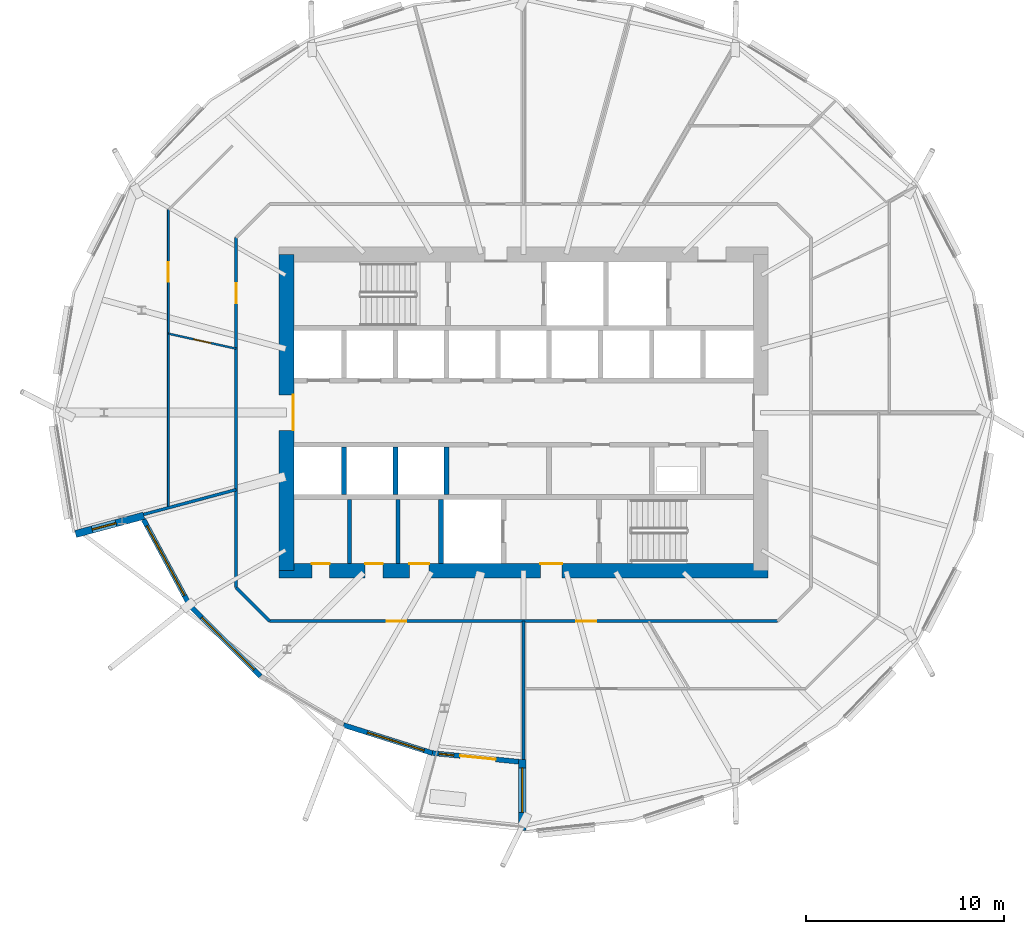
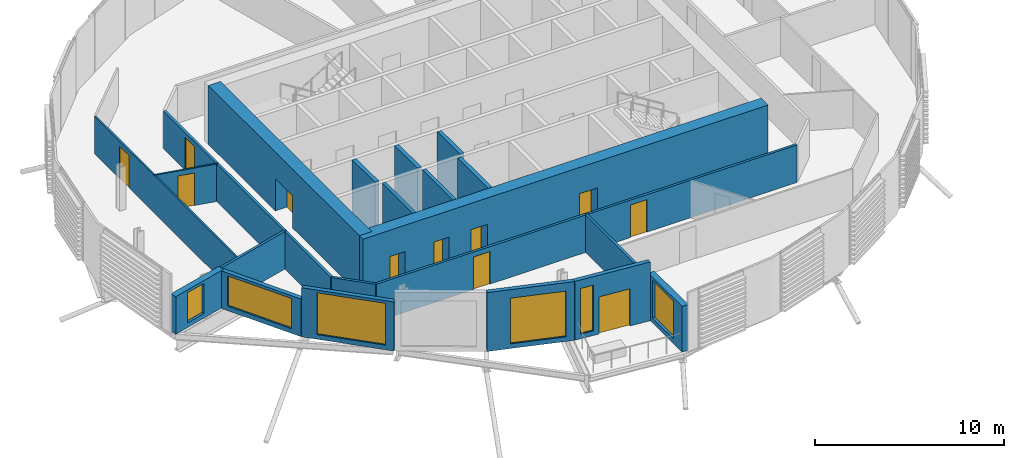
# One storey, part 22 of 43: 21 walls, 11 doors, 6 windows, 17 openings.
"""IFC4 building model written with IfcOpenShell, lengths in metres."""

from ifc_helpers import new_model, si_unit, direction, frame, frame_2d, origin, place, context, subcontext, project, spatial, rectangle, extrude, material, layer, layer_set, type_object, element, fill, save


model = new_model("IFC4")

# Units and contexts
model_context = context("Model", 3, precision=1e-05, world=origin(), true_north=direction((0.0, 1.0)))
body_context = subcontext(model_context, "Body", "Model", "MODEL_VIEW")
ifc_project = project(units=[si_unit("LENGTHUNIT", "METRE"), si_unit("AREAUNIT", "SQUARE_METRE"), si_unit("VOLUMEUNIT", "CUBIC_METRE"), si_unit("PLANEANGLEUNIT", "RADIAN"), si_unit("MASSUNIT", "GRAM", prefix="KILO")], contexts=[model_context])

# Site, building, storey
site_placement = place(None, origin())
site = spatial("IfcSite", under=ifc_project, at=site_placement, CompositionType="ELEMENT")
building_placement = place(site_placement, origin())
building = spatial("IfcBuilding", under=site, at=building_placement, Name="Rimbun Link Towers", CompositionType="ELEMENT")
storey_placement = place(building_placement, frame((0.0, 0.0, 81.60009765625)))
storey = spatial("IfcBuildingStorey", under=building, at=storey_placement, Name="L19", CompositionType="ELEMENT", Elevation=81.60009765625)

# Wall, opening, window
ifc_material_1 = material(Name="Dark enamelled glass spandrel on insulated aluminium backpan", Category="aluminium")
ifc_layer_1 = layer(ifc_material_1, 0.25)
ifc_layer_set_1 = layer_set([ifc_layer_1], Name="CS dark enamelled spandrel wall 250")
wall_type_1 = type_object("IfcWallType", Name="CS dark enamelled spandrel wall 250", PredefinedType="STANDARD", material=ifc_layer_set_1)
wall_1_placement = place(storey_placement, frame((-48.640380859375, -9.7685546875, 0.0), z_axis=(0.0, 0.0, 1.0), x_axis=(-0.473204683216, 0.88095251165, 0.0)))
wall_1 = element("IfcWall", 1, at=wall_1_placement, inside=storey, type_object=wall_type_1, Name="Crease spandrel wall", PredefinedType="STANDARD", context=body_context, shape_type="SweptSolid", body=[
    extrude(rectangle(XDim=4.94580078125, YDim=0.25, at=frame_2d((2.472900390625, 0.0))), origin(), (0.0, 0.0, 1.0), 2.429931640625),
])
opening_1_placement = place(wall_1_placement, frame((0.583251953125, 0.0, 0.300048828125)))
opening_1 = element("IfcOpeningElement", 2, at=opening_1_placement, cuts=wall_1, Name="Opening WR40H195", PredefinedType="OPENING", context=body_context, shape_type="SweptSolid", body=[
    extrude(rectangle(XDim=4.0, YDim=1.949951171875, at=frame_2d((2.0, 0.97509765625))), frame((0.0, 0.135009765625, 0.0), z_axis=(0.0, -1.0, 0.0), x_axis=(1.0, 0.0, 0.0)), (0.0, 0.0, 1.0), 0.27001953125),
])
ifc_material_2 = material(Name="Aluminium framed fixed window, dark tinted low-e glass", Category="aluminium")
window_type_1 = type_object("IfcWindowType", Name="WR ribbon window 4000X1950", PartitioningType="SINGLE_PANEL", PredefinedType="WINDOW", material=ifc_material_2)
window_1_placement = place(opening_1_placement, origin())
window_1 = element("IfcWindow", 3, at=window_1_placement, inside=storey, type_object=window_type_1, Name="Crease ribbon window", OverallHeight=1.949951171875, OverallWidth=4.0, PartitioningType="SINGLE_PANEL", PredefinedType="WINDOW", context=body_context, shape_type="SweptSolid", body=[
    extrude(rectangle(XDim=4.0, YDim=1.949951171875, at=frame_2d((2.0, 0.97509765625))), frame((0.0, 0.030029296875, 0.0), z_axis=(0.0, -1.0, 0.0), x_axis=(1.0, 0.0, 0.0)), (0.0, 0.0, 1.0), 0.06005859375),
])
fill(opening_1, window_1)

wall_2_placement = place(storey_placement, frame((-45.070068359375, -13.342529296875, 0.0), z_axis=(0.0, 0.0, 1.0), x_axis=(-0.706744230568, 0.707469146012, 0.0)))
wall_2 = element("IfcWall", 4, at=wall_2_placement, inside=storey, type_object=wall_type_1, Name="Crease spandrel wall", PredefinedType="STANDARD", context=body_context, shape_type="SweptSolid", body=[
    extrude(rectangle(XDim=5.0517578125, YDim=0.25, at=frame_2d((2.52587890625, 0.0))), origin(), (0.0, 0.0, 1.0), 3.176513671875),
])
opening_2_placement = place(wall_2_placement, frame((0.456298828125, 0.0, 0.300048828125)))
opening_2 = element("IfcOpeningElement", 5, at=opening_2_placement, cuts=wall_2, Name="Opening WR38H270", PredefinedType="OPENING", context=body_context, shape_type="SweptSolid", body=[
    extrude(rectangle(XDim=3.75, YDim=2.699951171875, at=frame_2d((1.875, 1.35009765625))), frame((0.0, 0.135009765625, 0.0), z_axis=(0.0, -1.0, 0.0), x_axis=(1.0, 0.0, 0.0)), (0.0, 0.0, 1.0), 0.27001953125),
])
ifc_material_3 = material(Name="Aluminium framed fixed window, dark tinted low-e glass", Category="aluminium")
window_type_2 = type_object("IfcWindowType", Name="WR ribbon window 3750X2700", PartitioningType="SINGLE_PANEL", PredefinedType="WINDOW", material=ifc_material_3)
window_2_placement = place(opening_2_placement, origin())
window_2 = element("IfcWindow", 6, at=window_2_placement, inside=storey, type_object=window_type_2, Name="Crease ribbon window", OverallHeight=2.699951171875, OverallWidth=3.75, PartitioningType="SINGLE_PANEL", PredefinedType="WINDOW", context=body_context, shape_type="SweptSolid", body=[
    extrude(rectangle(XDim=3.75, YDim=2.699951171875, at=frame_2d((1.875, 1.35009765625))), frame((0.0, 0.030029296875, 0.0), z_axis=(0.0, -1.0, 0.0), x_axis=(1.0, 0.0, 0.0)), (0.0, 0.0, 1.0), 0.06005859375),
])
fill(opening_2, window_2)

wall_3_placement = place(storey_placement, frame((-36.359375, -17.23095703125, 0.0), z_axis=(0.0, 0.0, 1.0), x_axis=(-0.953706819851, 0.300737928719, 0.0)))
wall_3 = element("IfcWall", 7, at=wall_3_placement, inside=storey, type_object=wall_type_1, Name="Crease spandrel wall", PredefinedType="STANDARD", context=body_context, shape_type="SweptSolid", body=[
    extrude(rectangle(XDim=4.72216796875, YDim=0.25, at=frame_2d((2.361083984375, 0.0))), origin(), (0.0, 0.0, 1.0), 3.7998046875),
])
opening_3_placement = place(wall_3_placement, frame((0.446044921875, 0.0, 0.300048828125)))
opening_3 = element("IfcOpeningElement", 8, at=opening_3_placement, cuts=wall_3, Name="Opening WR30H295", PredefinedType="OPENING", context=body_context, shape_type="SweptSolid", body=[
    extrude(rectangle(XDim=3.0, YDim=2.949951171875, at=frame_2d((1.5, 1.47509765625))), frame((0.0, 0.135009765625, 0.0), z_axis=(0.0, -1.0, 0.0), x_axis=(1.0, 0.0, 0.0)), (0.0, 0.0, 1.0), 0.27001953125),
])
ifc_material_4 = material(Name="Aluminium framed fixed window, dark tinted low-e glass", Category="aluminium")
window_type_3 = type_object("IfcWindowType", Name="WR ribbon window 3000X2950", PartitioningType="SINGLE_PANEL", PredefinedType="WINDOW", material=ifc_material_4)
window_3_placement = place(opening_3_placement, origin())
window_3 = element("IfcWindow", 9, at=window_3_placement, inside=storey, type_object=window_type_3, Name="Crease ribbon window", OverallHeight=2.949951171875, OverallWidth=3.0, PartitioningType="SINGLE_PANEL", PredefinedType="WINDOW", context=body_context, shape_type="SweptSolid", body=[
    extrude(rectangle(XDim=3.0, YDim=2.949951171875, at=frame_2d((1.5, 1.47509765625))), frame((0.0, 0.030029296875, 0.0), z_axis=(0.0, -1.0, 0.0), x_axis=(1.0, 0.0, 0.0)), (0.0, 0.0, 1.0), 0.06005859375),
])
fill(opening_3, window_3)

# Wall, openings, door, window
wall_4_placement = place(storey_placement, frame((-32.0, -17.666748046875, 0.0), z_axis=(0.0, 0.0, 1.0), x_axis=(-0.995040500105, 0.09947061451, 0.0)))
wall_4 = element("IfcWall", 10, at=wall_4_placement, inside=storey, type_object=wall_type_1, Name="Crease spandrel wall", PredefinedType="STANDARD", context=body_context, shape_type="SweptSolid", body=[
    extrude(rectangle(XDim=4.381103515625, YDim=0.25, at=frame_2d((2.1904296875, 0.0))), origin(), (0.0, 0.0, 1.0), 3.7998046875),
])
opening_4_placement = place(wall_4_placement, frame((3.2978515625, 0.0, 0.300048828125)))
opening_4 = element("IfcOpeningElement", 11, at=opening_4_placement, cuts=wall_4, Name="Opening WR08H295", PredefinedType="OPENING", context=body_context, shape_type="SweptSolid", body=[
    extrude(rectangle(XDim=0.75, YDim=2.949951171875, at=frame_2d((0.375, 1.47509765625))), frame((0.0, 0.135009765625, 0.0), z_axis=(0.0, -1.0, 0.0), x_axis=(1.0, 0.0, 0.0)), (0.0, 0.0, 1.0), 0.27001953125),
])
opening_5_placement = place(wall_4_placement, frame((1.16455078125, 0.0, 0.0)))
opening_5 = element("IfcOpeningElement", 12, at=opening_5_placement, cuts=wall_4, Name="Opening ED59", PredefinedType="OPENING", context=body_context, shape_type="SweptSolid", body=[
    extrude(rectangle(XDim=1.800048828125, YDim=2.39990234375, at=frame_2d((0.89990234375, 1.199951171875))), frame((0.0, 0.135009765625, 0.0), z_axis=(0.0, -1.0, 0.0), x_axis=(1.0, 0.0, 0.0)), (0.0, 0.0, 1.0), 0.27001953125),
])
ifc_material_5 = material(Name="Aluminium framed glazed door, low-iron glass", Category="aluminium")
door_type_1 = type_object("IfcDoorType", Name="ED terrace door double leaf 1800X2400", OperationType="DOUBLE_DOOR_SINGLE_SWING", PredefinedType="DOOR", material=ifc_material_5)
door_1_placement = place(opening_5_placement, origin())
door_1 = element("IfcDoor", 13, at=door_1_placement, inside=storey, type_object=door_type_1, Name="Terrace door", OperationType="SINGLE_SWING_LEFT", OverallHeight=2.39990234375, OverallWidth=1.800048828125, PredefinedType="DOOR", context=body_context, shape_type="SweptSolid", body=[
    extrude(rectangle(XDim=1.800048828125, YDim=2.39990234375, at=frame_2d((0.89990234375, 1.199951171875))), frame((0.0, 0.02490234375, 0.0), z_axis=(0.0, -1.0, 0.0), x_axis=(1.0, 0.0, 0.0)), (0.0, 0.0, 1.0), 0.050048828125),
])
fill(opening_5, door_1)
ifc_material_6 = material(Name="Aluminium framed fixed window, dark tinted low-e glass", Category="aluminium")
window_type_4 = type_object("IfcWindowType", Name="WR ribbon window 750X2950", PartitioningType="SINGLE_PANEL", PredefinedType="WINDOW", material=ifc_material_6)
window_4_placement = place(opening_4_placement, origin())
window_4 = element("IfcWindow", 14, at=window_4_placement, inside=storey, type_object=window_type_4, Name="Crease ribbon window", OverallHeight=2.949951171875, OverallWidth=0.75, PartitioningType="SINGLE_PANEL", PredefinedType="WINDOW", context=body_context, shape_type="SweptSolid", body=[
    extrude(rectangle(XDim=0.75, YDim=2.949951171875, at=frame_2d((0.375, 1.47509765625))), frame((0.0, 0.030029296875, 0.0), z_axis=(0.0, -1.0, 0.0), x_axis=(1.0, 0.0, 0.0)), (0.0, 0.0, 1.0), 0.06005859375),
])
fill(opening_4, window_4)

# Wall, opening, window
ifc_material_7 = material(Name="Dark enamelled glass spandrel on insulated aluminium backpan", Category="aluminium")
ifc_layer_2 = layer(ifc_material_7, 0.3701171875)
ifc_layer_set_2 = layer_set([ifc_layer_2], Name="CS dark enamelled spandrel wall 370")
wall_type_2 = type_object("IfcWallType", Name="CS dark enamelled spandrel wall 370", PredefinedType="STANDARD", material=ifc_layer_set_2)
wall_5_placement = place(storey_placement, frame((-50.96142578125, -5.215087890625, 0.0), z_axis=(0.0, 0.0, 1.0), x_axis=(-0.965929787715, -0.258804260405, 0.0)))
wall_5 = element("IfcWall", 15, at=wall_5_placement, inside=storey, type_object=wall_type_2, Name="Crease spandrel wall", PredefinedType="STANDARD", context=body_context, shape_type="SweptSolid", body=[
    extrude(rectangle(XDim=3.580078125, YDim=0.3701171875, at=frame_2d((1.7900390625, 0.0))), origin(), (0.0, 0.0, 1.0), 2.429931640625),
])
opening_6_placement = place(wall_5_placement, frame((1.46435546875, 0.0, 0.300048828125)))
opening_6 = element("IfcOpeningElement", 16, at=opening_6_placement, cuts=wall_5, Name="Opening WR12H195", PredefinedType="OPENING", context=body_context, shape_type="SweptSolid", body=[
    extrude(rectangle(XDim=1.25, YDim=1.949951171875, at=frame_2d((0.625, 0.97509765625))), frame((0.0, 0.195068359375, 0.0), z_axis=(0.0, -1.0, 0.0), x_axis=(1.0, 0.0, 0.0)), (0.0, 0.0, 1.0), 0.39013671875),
])
ifc_material_8 = material(Name="Aluminium framed fixed window, dark tinted low-e glass", Category="aluminium")
window_type_5 = type_object("IfcWindowType", Name="WR ribbon window 1250X1950", PartitioningType="SINGLE_PANEL", PredefinedType="WINDOW", material=ifc_material_8)
window_5_placement = place(opening_6_placement, origin())
window_5 = element("IfcWindow", 17, at=window_5_placement, inside=storey, type_object=window_type_5, Name="Crease ribbon window", OverallHeight=1.949951171875, OverallWidth=1.25, PartitioningType="SINGLE_PANEL", PredefinedType="WINDOW", context=body_context, shape_type="SweptSolid", body=[
    extrude(rectangle(XDim=1.25, YDim=1.949951171875, at=frame_2d((0.625, 0.97509765625))), frame((0.0, 0.030029296875, 0.0), z_axis=(0.0, -1.0, 0.0), x_axis=(1.0, 0.0, 0.0)), (0.0, 0.0, 1.0), 0.06005859375),
])
fill(opening_6, window_5)

wall_6_placement = place(storey_placement, frame((-31.81494140625, -21.14599609375, 0.0), z_axis=(0.0, 0.0, 1.0), x_axis=(0.0, 1.0, 0.0)))
wall_6 = element("IfcWall", 18, at=wall_6_placement, inside=storey, type_object=wall_type_2, Name="Crease spandrel wall", PredefinedType="STANDARD", context=body_context, shape_type="SweptSolid", body=[
    extrude(rectangle(XDim=3.580078125, YDim=0.3701171875, at=frame_2d((1.7900390625, 0.0))), origin(), (0.0, 0.0, 1.0), 2.9462890625),
])
opening_7_placement = place(wall_6_placement, frame((0.914794921875, 0.0, 0.300048828125)))
opening_7 = element("IfcOpeningElement", 19, at=opening_7_placement, cuts=wall_6, Name="Opening WR22H245", PredefinedType="OPENING", context=body_context, shape_type="SweptSolid", body=[
    extrude(rectangle(XDim=2.25, YDim=2.449951171875, at=frame_2d((1.125, 1.22509765625))), frame((0.0, 0.195068359375, 0.0), z_axis=(0.0, -1.0, 0.0), x_axis=(1.0, 0.0, 0.0)), (0.0, 0.0, 1.0), 0.39013671875),
])
ifc_material_9 = material(Name="Aluminium framed fixed window, dark tinted low-e glass", Category="aluminium")
window_type_6 = type_object("IfcWindowType", Name="WR ribbon window 2250X2450", PartitioningType="SINGLE_PANEL", PredefinedType="WINDOW", material=ifc_material_9)
window_6_placement = place(opening_7_placement, origin())
window_6 = element("IfcWindow", 20, at=window_6_placement, inside=storey, type_object=window_type_6, Name="Crease ribbon window", OverallHeight=2.449951171875, OverallWidth=2.25, PartitioningType="SINGLE_PANEL", PredefinedType="WINDOW", context=body_context, shape_type="SweptSolid", body=[
    extrude(rectangle(XDim=2.25, YDim=2.449951171875, at=frame_2d((1.125, 1.22509765625))), frame((0.0, 0.030029296875, 0.0), z_axis=(0.0, -1.0, 0.0), x_axis=(1.0, 0.0, 0.0)), (0.0, 0.0, 1.0), 0.06005859375),
])
fill(opening_7, window_6)

# Walls
ifc_material_10 = material(Name="Masonry blockwork", Category="masonry")
ifc_layer_3 = layer(ifc_material_10, 0.199951171875)
ifc_layer_set_3 = layer_set([ifc_layer_3], Name="Core partition 200")
wall_type_3 = type_object("IfcWallType", Name="Core partition 200", PredefinedType="PARTITIONING", material=ifc_layer_set_3)
for number, where, z_axis, x_axis, name in (
    (21, (-40.550048828125, -4.39990234375, 0.0), (0.0, 0.0, 1.0), (0.0, -1.0, 0.0), "L19 T1 core wall C1"),
    (22, (-38.10009765625, -4.39990234375, 0.0), (0.0, 0.0, 1.0), (0.0, -1.0, 0.0), "L19 T1 core wall C2"),
):
    element("IfcWall", number, at=place(storey_placement, frame(where, z_axis=z_axis, x_axis=x_axis)), inside=storey, type_object=wall_type_3, Name=name, PredefinedType="PARTITIONING", context=body_context, shape_type="SweptSolid", body=[
        extrude(rectangle(XDim=3.22509765625, YDim=0.199951171875, at=frame_2d((1.612548828125, 0.0))), origin(), (0.0, 0.0, 1.0), 3.7998046875),
    ])

# Wall, openings, doors
ifc_material_11 = material(Name="Concrete C60/75", Category="concrete")
ifc_layer_4 = layer(ifc_material_11, 0.75)
ifc_layer_set_4 = layer_set([ifc_layer_4], Name="Core shear wall 750")
wall_type_4 = type_object("IfcWallType", Name="Core shear wall 750", PredefinedType="SHEAR", material=ifc_layer_set_4)
wall_7_placement = place(storey_placement, frame((-44.125, -8.0, 0.0), z_axis=(0.0, 0.0, 1.0), x_axis=(1.0, 0.0, 0.0)))
wall_7 = element("IfcWall", 23, at=wall_7_placement, inside=storey, type_object=wall_type_4, Name="L19 T1 core wall S", PredefinedType="SHEAR", context=body_context, shape_type="SweptSolid", body=[
    extrude(rectangle(XDim=24.75, YDim=0.75, at=frame_2d((12.375, 0.0))), origin(), (0.0, 0.0, 1.0), 3.7998046875),
])
opening_8_placement = place(wall_7_placement, frame((13.22509765625, 0.0, 0.0)))
opening_8 = element("IfcOpeningElement", 24, at=opening_8_placement, cuts=wall_7, Name="Opening C1DCF01S", PredefinedType="OPENING", context=body_context, shape_type="SweptSolid", body=[
    extrude(rectangle(XDim=1.10009765625, YDim=2.10009765625, at=frame_2d((0.550048828125, 1.050048828125))), frame((0.0, 0.385009765625, 0.0), z_axis=(0.0, -1.0, 0.0), x_axis=(1.0, 0.0, 0.0)), (0.0, 0.0, 1.0), 0.77001953125),
])
opening_9_placement = place(wall_7_placement, frame((1.66259765625, 0.0, 0.0)))
opening_9 = element("IfcOpeningElement", 25, at=opening_9_placement, cuts=wall_7, Name="Opening C1DWC02S", PredefinedType="OPENING", context=body_context, shape_type="SweptSolid", body=[
    extrude(rectangle(XDim=0.89990234375, YDim=2.10009765625, at=frame_2d((0.449951171875, 1.050048828125))), frame((0.0, 0.385009765625, 0.0), z_axis=(0.0, -1.0, 0.0), x_axis=(1.0, 0.0, 0.0)), (0.0, 0.0, 1.0), 0.77001953125),
])
opening_10_placement = place(wall_7_placement, frame((4.35009765625, 0.0, 0.0)))
opening_10 = element("IfcOpeningElement", 26, at=opening_10_placement, cuts=wall_7, Name="Opening C1DWC03S", PredefinedType="OPENING", context=body_context, shape_type="SweptSolid", body=[
    extrude(rectangle(XDim=0.89990234375, YDim=2.10009765625, at=frame_2d((0.449951171875, 1.050048828125))), frame((0.0, 0.385009765625, 0.0), z_axis=(0.0, -1.0, 0.0), x_axis=(1.0, 0.0, 0.0)), (0.0, 0.0, 1.0), 0.77001953125),
])
opening_11_placement = place(wall_7_placement, frame((6.60009765625, 0.0, 0.0)))
opening_11 = element("IfcOpeningElement", 27, at=opening_11_placement, cuts=wall_7, Name="Opening C1DAW04S", PredefinedType="OPENING", context=body_context, shape_type="SweptSolid", body=[
    extrude(rectangle(XDim=1.0, YDim=2.10009765625, at=frame_2d((0.5, 1.050048828125))), frame((0.0, 0.385009765625, 0.0), z_axis=(0.0, -1.0, 0.0), x_axis=(1.0, 0.0, 0.0)), (0.0, 0.0, 1.0), 0.77001953125),
])
ifc_material_12 = material(Name="Timber", Category="wood")
door_type_2 = type_object("IfcDoorType", Name="Accessible WC door", OperationType="SINGLE_SWING_LEFT", PredefinedType="DOOR", material=ifc_material_12)
door_2_placement = place(opening_11_placement, origin())
door_2 = element("IfcDoor", 28, at=door_2_placement, inside=storey, type_object=door_type_2, Name="L19 T1 accessible wc door", OperationType="SINGLE_SWING_RIGHT", OverallHeight=2.10009765625, OverallWidth=1.0, PredefinedType="DOOR", context=body_context, shape_type="SweptSolid", body=[
    extrude(rectangle(XDim=1.0, YDim=2.10009765625, at=frame_2d((0.5, 1.050048828125))), frame((0.0, 0.375, 0.0), z_axis=(0.0, -1.0, 0.0), x_axis=(1.0, 0.0, 0.0)), (0.0, 0.0, 1.0), 0.050048828125),
])
fill(opening_11, door_2)
ifc_material_13 = material(Name="Steel fire door set", Category="steel")
door_type_3 = type_object("IfcDoorType", Name="Core fire door single", OperationType="SINGLE_SWING_LEFT", PredefinedType="DOOR", material=ifc_material_13)
door_3_placement = place(opening_8_placement, origin())
door_3 = element("IfcDoor", 29, at=door_3_placement, inside=storey, type_object=door_type_3, Name="L19 T1 firefighting lobby s door", OperationType="SINGLE_SWING_RIGHT", OverallHeight=2.10009765625, OverallWidth=1.10009765625, PredefinedType="DOOR", context=body_context, shape_type="SweptSolid", body=[
    extrude(rectangle(XDim=1.10009765625, YDim=2.10009765625, at=frame_2d((0.550048828125, 1.050048828125))), frame((0.0, 0.375, 0.0), z_axis=(0.0, -1.0, 0.0), x_axis=(1.0, 0.0, 0.0)), (0.0, 0.0, 1.0), 0.050048828125),
])
fill(opening_8, door_3)
ifc_material_14 = material(Name="Timber", Category="wood")
door_type_4 = type_object("IfcDoorType", Name="WC door", OperationType="SINGLE_SWING_LEFT", PredefinedType="DOOR", material=ifc_material_14)
door_4_placement = place(opening_9_placement, origin())
door_4 = element("IfcDoor", 30, at=door_4_placement, inside=storey, type_object=door_type_4, Name="L19 T1 male wc door", OperationType="SINGLE_SWING_RIGHT", OverallHeight=2.10009765625, OverallWidth=0.89990234375, PredefinedType="DOOR", context=body_context, shape_type="SweptSolid", body=[
    extrude(rectangle(XDim=0.89990234375, YDim=2.10009765625, at=frame_2d((0.449951171875, 1.050048828125))), frame((0.0, 0.375, 0.0), z_axis=(0.0, -1.0, 0.0), x_axis=(1.0, 0.0, 0.0)), (0.0, 0.0, 1.0), 0.050048828125),
])
fill(opening_9, door_4)
door_5_placement = place(opening_10_placement, origin())
door_5 = element("IfcDoor", 31, at=door_5_placement, inside=storey, type_object=door_type_4, Name="L19 T1 female wc door", OperationType="SINGLE_SWING_LEFT", OverallHeight=2.10009765625, OverallWidth=0.89990234375, PredefinedType="DOOR", context=body_context, shape_type="SweptSolid", body=[
    extrude(rectangle(XDim=0.89990234375, YDim=2.10009765625, at=frame_2d((0.449951171875, 1.050048828125))), frame((0.0, 0.375, 0.0), z_axis=(0.0, -1.0, 0.0), x_axis=(1.0, 0.0, 0.0)), (0.0, 0.0, 1.0), 0.050048828125),
])
fill(opening_10, door_5)

# Wall, opening, door
wall_8_placement = place(storey_placement, frame((-43.75, -8.0, 0.0), z_axis=(0.0, 0.0, 1.0), x_axis=(0.0, 1.0, 0.0)))
wall_8 = element("IfcWall", 32, at=wall_8_placement, inside=storey, type_object=wall_type_4, Name="L19 T1 core wall W", PredefinedType="SHEAR", context=body_context, shape_type="SweptSolid", body=[
    extrude(rectangle(XDim=16.0, YDim=0.75, at=frame_2d((8.0, 0.0))), origin(), (0.0, 0.0, 1.0), 3.7998046875),
])
opening_12_placement = place(wall_8_placement, frame((7.10009765625, 0.0, 0.0)))
opening_12 = element("IfcOpeningElement", 33, at=opening_12_placement, cuts=wall_8, Name="Opening C1DCL01W", PredefinedType="OPENING", context=body_context, shape_type="SweptSolid", body=[
    extrude(rectangle(XDim=1.800048828125, YDim=2.10009765625, at=frame_2d((0.89990234375, 1.050048828125))), frame((0.0, 0.385009765625, 0.0), z_axis=(0.0, -1.0, 0.0), x_axis=(1.0, 0.0, 0.0)), (0.0, 0.0, 1.0), 0.77001953125),
])
ifc_material_15 = material(Name="Steel fire door set", Category="steel")
door_type_5 = type_object("IfcDoorType", Name="Core lobby door double", OperationType="DOUBLE_DOOR_SINGLE_SWING", PredefinedType="DOOR", material=ifc_material_15)
door_6_placement = place(opening_12_placement, origin())
door_6 = element("IfcDoor", 34, at=door_6_placement, inside=storey, type_object=door_type_5, Name="L19 T1 lift lobby door", OperationType="DOUBLE_DOOR_SINGLE_SWING", OverallHeight=2.10009765625, OverallWidth=1.800048828125, PredefinedType="DOOR", context=body_context, shape_type="SweptSolid", body=[
    extrude(rectangle(XDim=1.800048828125, YDim=2.10009765625, at=frame_2d((0.89990234375, 1.050048828125))), frame((0.0, -0.3251953125, 0.0), z_axis=(0.0, -1.0, 0.0), x_axis=(1.0, 0.0, 0.0)), (0.0, 0.0, 1.0), 0.050048828125),
])
fill(opening_12, door_6)

# Wall, openings, doors
ifc_material_16 = material(Name="Plasterboard on steel stud, mineral wool", Category="steel")
ifc_layer_5 = layer(ifc_material_16, 0.14990234375)
ifc_layer_set_5 = layer_set([ifc_layer_5], Name="Corridor wall EI 30 150 mm")
wall_type_5 = type_object("IfcWallType", Name="Corridor wall EI 30 150 mm", PredefinedType="PARTITIONING", material=ifc_layer_set_5)
wall_9_placement = place(storey_placement, frame((-18.898193359375, -10.550048828125, 0.0), z_axis=(0.0, 0.0, 1.0), x_axis=(-1.0, 0.0, 0.0)))
wall_9 = element("IfcWall", 35, at=wall_9_placement, inside=storey, type_object=wall_type_5, Name="Corridor wall EI 30 150 mm", PredefinedType="PARTITIONING", context=body_context, shape_type="SweptSolid", body=[
    extrude(rectangle(XDim=25.70361328125, YDim=0.14990234375, at=frame_2d((12.851806640625, 0.0))), origin(), (0.0, 0.0, 1.0), 2.419921875),
])
opening_13_placement = place(wall_9_placement, frame((9.184326171875, 0.0, 0.0)))
opening_13 = element("IfcOpeningElement", 36, at=opening_13_placement, cuts=wall_9, Name="Opening D01", PredefinedType="OPENING", context=body_context, shape_type="SweptSolid", body=[
    extrude(rectangle(XDim=1.0, YDim=2.10009765625, at=frame_2d((0.5, 1.050048828125))), frame((0.0, 0.0849609375, 0.0), z_axis=(0.0, -1.0, 0.0), x_axis=(1.0, 0.0, 0.0)), (0.0, 0.0, 1.0), 0.169921875),
])
opening_14_placement = place(wall_9_placement, frame((18.777587890625, 0.0, 0.0)))
opening_14 = element("IfcOpeningElement", 37, at=opening_14_placement, cuts=wall_9, Name="Opening D01", PredefinedType="OPENING", context=body_context, shape_type="SweptSolid", body=[
    extrude(rectangle(XDim=1.0, YDim=2.10009765625, at=frame_2d((0.5, 1.050048828125))), frame((0.0, 0.0849609375, 0.0), z_axis=(0.0, -1.0, 0.0), x_axis=(1.0, 0.0, 0.0)), (0.0, 0.0, 1.0), 0.169921875),
])
ifc_material_17 = material(Name="Fire-resisting timber door leaf", Category="wood")
door_type_6 = type_object("IfcDoorType", Name="Fire door FD30S 1000", OperationType="NOTDEFINED", PredefinedType="DOOR", material=ifc_material_17)
door_7_placement = place(opening_13_placement, origin())
door_7 = element("IfcDoor", 38, at=door_7_placement, inside=storey, type_object=door_type_6, Name="Fire door FD30S 1000 to Reception", OperationType="SINGLE_SWING_LEFT", OverallHeight=2.10009765625, OverallWidth=1.0, PredefinedType="DOOR", context=body_context, shape_type="SweptSolid", body=[
    extrude(rectangle(XDim=1.0, YDim=2.10009765625, at=frame_2d((0.5, 1.050048828125))), frame((0.0, 0.02490234375, 0.0), z_axis=(0.0, -1.0, 0.0), x_axis=(1.0, 0.0, 0.0)), (0.0, 0.0, 1.0), 0.050048828125),
])
fill(opening_13, door_7)
door_8_placement = place(opening_14_placement, origin())
door_8 = element("IfcDoor", 39, at=door_8_placement, inside=storey, type_object=door_type_6, Name="Fire door FD30S 1000 to Terrace office", OperationType="SINGLE_SWING_LEFT", OverallHeight=2.10009765625, OverallWidth=1.0, PredefinedType="DOOR", context=body_context, shape_type="SweptSolid", body=[
    extrude(rectangle(XDim=1.0, YDim=2.10009765625, at=frame_2d((0.5, 1.050048828125))), frame((0.0, 0.02490234375, 0.0), z_axis=(0.0, -1.0, 0.0), x_axis=(1.0, 0.0, 0.0)), (0.0, 0.0, 1.0), 0.050048828125),
])
fill(opening_14, door_8)

# Wall
wall_10_placement = place(storey_placement, frame((-46.300048828125, -8.851806640625, 0.0), z_axis=(0.0, 0.0, 1.0), x_axis=(0.707106781187, -0.707106781187, 0.0)))
element("IfcWall", 40, at=wall_10_placement, inside=storey, type_object=wall_type_5, Name="Corridor wall EI 30 150 mm", PredefinedType="PARTITIONING", context=body_context, shape_type="SweptSolid", body=[
    extrude(rectangle(XDim=2.401611328125, YDim=0.14990234375, at=frame_2d((1.20068359375, 0.0))), origin(), (0.0, 0.0, 1.0), 2.419921875),
])

# Wall, opening, door
wall_11_placement = place(storey_placement, frame((-46.300048828125, -8.851806640625, 0.0), z_axis=(0.0, 0.0, 1.0), x_axis=(0.0, 1.0, 0.0)))
wall_11 = element("IfcWall", 41, at=wall_11_placement, inside=storey, type_object=wall_type_5, Name="Corridor wall EI 30 150 mm", PredefinedType="PARTITIONING", context=body_context, shape_type="SweptSolid", body=[
    extrude(rectangle(XDim=17.70361328125, YDim=0.14990234375, at=frame_2d((8.851806640625, 0.0))), origin(), (0.0, 0.0, 1.0), 2.419921875),
])
opening_15_placement = place(wall_11_placement, frame((14.39501953125, 0.0, 0.0)))
opening_15 = element("IfcOpeningElement", 42, at=opening_15_placement, cuts=wall_11, Name="Opening D01", PredefinedType="OPENING", context=body_context, shape_type="SweptSolid", body=[
    extrude(rectangle(XDim=1.0, YDim=2.10009765625, at=frame_2d((0.5, 1.050048828125))), frame((0.0, 0.0849609375, 0.0), z_axis=(0.0, -1.0, 0.0), x_axis=(1.0, 0.0, 0.0)), (0.0, 0.0, 1.0), 0.169921875),
])
door_9_placement = place(opening_15_placement, origin())
door_9 = element("IfcDoor", 43, at=door_9_placement, inside=storey, type_object=door_type_6, Name="Fire door FD30S 1000 to Reception", OperationType="SINGLE_SWING_RIGHT", OverallHeight=2.10009765625, OverallWidth=1.0, PredefinedType="DOOR", context=body_context, shape_type="SweptSolid", body=[
    extrude(rectangle(XDim=1.0, YDim=2.10009765625, at=frame_2d((0.5, 1.050048828125))), frame((0.0, 0.02490234375, 0.0), z_axis=(0.0, -1.0, 0.0), x_axis=(1.0, 0.0, 0.0)), (0.0, 0.0, 1.0), 0.050048828125),
])
fill(opening_15, door_9)

ifc_material_18 = material(Name="Plasterboard on steel stud", Category="steel")
ifc_layer_6 = layer(ifc_material_18, 0.10009765625)
ifc_layer_set_6 = layer_set([ifc_layer_6], Name="Plasterboard partition 100 mm")
wall_type_6 = type_object("IfcWallType", Name="Plasterboard partition 100 mm", PredefinedType="PARTITIONING", material=ifc_layer_set_6)
wall_12_placement = place(storey_placement, frame((-46.300048828125, 3.235107421875, 0.0), z_axis=(0.0, 0.0, 1.0), x_axis=(-0.976155896555, 0.217070646614, 0.0)))
wall_12 = element("IfcWall", 44, at=wall_12_placement, inside=storey, type_object=wall_type_6, Name="Plasterboard partition 100 mm", PredefinedType="PARTITIONING", context=body_context, shape_type="SweptSolid", body=[
    extrude(rectangle(XDim=3.50341796875, YDim=0.10009765625, at=frame_2d((1.751708984375, 0.0))), origin(), (0.0, 0.0, 1.0), 2.419921875),
])
opening_16_placement = place(wall_12_placement, frame((1.3017578125, 0.0, 0.0)))
opening_16 = element("IfcOpeningElement", 45, at=opening_16_placement, cuts=wall_12, Name="Opening D04", PredefinedType="OPENING", context=body_context, shape_type="SweptSolid", body=[
    extrude(rectangle(XDim=0.89990234375, YDim=2.10009765625, at=frame_2d((0.449951171875, 1.050048828125))), frame((0.0, 0.06005859375, 0.0), z_axis=(0.0, -1.0, 0.0), x_axis=(1.0, 0.0, 0.0)), (0.0, 0.0, 1.0), 0.1201171875),
])
ifc_material_19 = material(Name="Timber door leaf", Category="wood")
door_type_7 = type_object("IfcDoorType", Name="Flush door 900", OperationType="NOTDEFINED", PredefinedType="DOOR", material=ifc_material_19)
door_10_placement = place(opening_16_placement, origin())
door_10 = element("IfcDoor", 46, at=door_10_placement, inside=storey, type_object=door_type_7, Name="Flush door 900 to Meeting room", OperationType="SINGLE_SWING_RIGHT", OverallHeight=2.10009765625, OverallWidth=0.89990234375, PredefinedType="DOOR", context=body_context, shape_type="SweptSolid", body=[
    extrude(rectangle(XDim=0.89990234375, YDim=2.10009765625, at=frame_2d((0.449951171875, 1.050048828125))), frame((0.0, 0.02490234375, 0.0), z_axis=(0.0, -1.0, 0.0), x_axis=(1.0, 0.0, 0.0)), (0.0, 0.0, 1.0), 0.050048828125),
])
fill(opening_16, door_10)

wall_13_placement = place(storey_placement, frame((-49.719970703125, -4.81494140625, 0.0), z_axis=(0.0, 0.0, 1.0), x_axis=(0.0, 1.0, 0.0)))
wall_13 = element("IfcWall", 47, at=wall_13_placement, inside=storey, type_object=wall_type_6, Name="Plasterboard partition 100 mm", PredefinedType="PARTITIONING", context=body_context, shape_type="SweptSolid", body=[
    extrude(rectangle(XDim=15.083251953125, YDim=0.10009765625, at=frame_2d((7.54150390625, 0.0))), origin(), (0.0, 0.0, 1.0), 2.419921875),
])
opening_17_placement = place(wall_13_placement, frame((11.431640625, 0.0, 0.0)))
opening_17 = element("IfcOpeningElement", 48, at=opening_17_placement, cuts=wall_13, Name="Opening D03", PredefinedType="OPENING", context=body_context, shape_type="SweptSolid", body=[
    extrude(rectangle(XDim=1.0, YDim=2.10009765625, at=frame_2d((0.5, 1.050048828125))), frame((0.0, 0.06005859375, 0.0), z_axis=(0.0, -1.0, 0.0), x_axis=(1.0, 0.0, 0.0)), (0.0, 0.0, 1.0), 0.1201171875),
])
ifc_material_20 = material(Name="Timber door leaf", Category="wood")
door_type_8 = type_object("IfcDoorType", Name="Flush door 1000", OperationType="NOTDEFINED", PredefinedType="DOOR", material=ifc_material_20)
door_11_placement = place(opening_17_placement, origin())
door_11 = element("IfcDoor", 49, at=door_11_placement, inside=storey, type_object=door_type_8, Name="Flush door 1000 to Open office", OperationType="SINGLE_SWING_LEFT", OverallHeight=2.10009765625, OverallWidth=1.0, PredefinedType="DOOR", context=body_context, shape_type="SweptSolid", body=[
    extrude(rectangle(XDim=1.0, YDim=2.10009765625, at=frame_2d((0.5, 1.050048828125))), frame((0.0, 0.02490234375, 0.0), z_axis=(0.0, -1.0, 0.0), x_axis=(1.0, 0.0, 0.0)), (0.0, 0.0, 1.0), 0.050048828125),
])
fill(opening_17, door_11)

# Walls
ifc_material_21 = material(Name="Concrete C60/75", Category="concrete")
ifc_layer_7 = layer(ifc_material_21, 0.25)
ifc_layer_set_7 = layer_set([ifc_layer_7], Name="Shaft wall 250")
wall_type_7 = type_object("IfcWallType", Name="Shaft wall 250", PredefinedType="SHEAR", material=ifc_layer_set_7)
for number, where, z_axis, x_axis, name in (
    (50, (-40.83056640625, -4.14990234375, 0.0), (0.0, 0.0, 1.0), (0.0, 1.0, 0.0), "L19 T1 core wall DS0"),
    (51, (-38.236083984375, -4.14990234375, 0.0), (0.0, 0.0, 1.0), (0.0, 1.0, 0.0), "L19 T1 core wall DS1"),
    (52, (-35.6416015625, -4.14990234375, 0.0), (0.0, 0.0, 1.0), (0.0, 1.0, 0.0), "L19 T1 core wall DS2"),
):
    element("IfcWall", number, at=place(storey_placement, frame(where, z_axis=z_axis, x_axis=x_axis)), inside=storey, type_object=wall_type_7, Name=name, PredefinedType="SHEAR", context=body_context, shape_type="SweptSolid", body=[
        extrude(rectangle(XDim=2.39990234375, YDim=0.25, at=frame_2d((1.199951171875, 0.0))), origin(), (0.0, 0.0, 1.0), 3.7998046875),
    ])
wall_14_placement = place(storey_placement, frame((-35.925048828125, -4.39990234375, 0.0), z_axis=(0.0, 0.0, 1.0), x_axis=(0.0, -1.0, 0.0)))
element("IfcWall", 53, at=wall_14_placement, inside=storey, type_object=wall_type_7, Name="L19 T1 core wall B3", PredefinedType="SHEAR", context=body_context, shape_type="SweptSolid", body=[
    extrude(rectangle(XDim=3.22509765625, YDim=0.25, at=frame_2d((1.612548828125, 0.0))), origin(), (0.0, 0.0, 1.0), 3.7998046875),
])
ifc_material_22 = material(Name="Plasterboard on steel stud, mineral wool", Category="steel")
ifc_layer_8 = layer(ifc_material_22, 0.14990234375)
ifc_layer_set_8 = layer_set([ifc_layer_8], Name="Tenancy separation wall EI 60 150 mm")
wall_type_8 = type_object("IfcWallType", Name="Tenancy separation wall EI 60 150 mm", PredefinedType="PARTITIONING", material=ifc_layer_set_8)
wall_15_placement = place(storey_placement, frame((-46.300048828125, -3.898681640625, 0.0), z_axis=(0.0, 0.0, 1.0), x_axis=(-0.965931401586, -0.258798236914, 0.0)))
element("IfcWall", 54, at=wall_15_placement, inside=storey, type_object=wall_type_8, Name="Tenancy separation wall EI 60 150 mm", PredefinedType="PARTITIONING", context=body_context, shape_type="SweptSolid", body=[
    extrude(rectangle(XDim=4.84326171875, YDim=0.14990234375, at=frame_2d((2.421630859375, 0.0))), origin(), (0.0, 0.0, 1.0), 2.419921875),
])
wall_16_placement = place(storey_placement, frame((-31.75, -10.550048828125, 0.0), z_axis=(0.0, 0.0, 1.0), x_axis=(0.0, -1.0, 0.0)))
element("IfcWall", 55, at=wall_16_placement, inside=storey, type_object=wall_type_8, Name="Tenancy separation wall EI 60 150 mm", PredefinedType="PARTITIONING", context=body_context, shape_type="SweptSolid", body=[
    extrude(rectangle(XDim=7.015869140625, YDim=0.14990234375, at=frame_2d((3.5078125, 0.0))), origin(), (0.0, 0.0, 1.0), 2.419921875),
])

save(model, "model.ifc")
